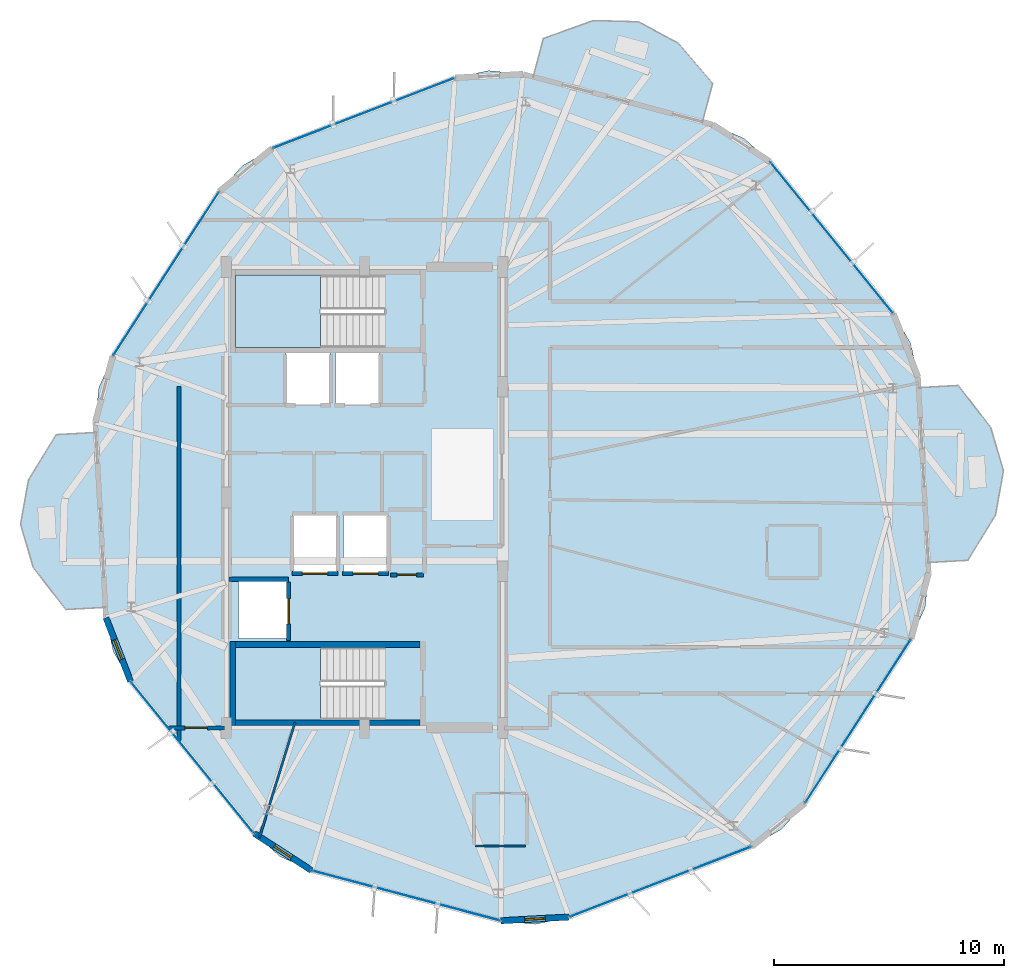
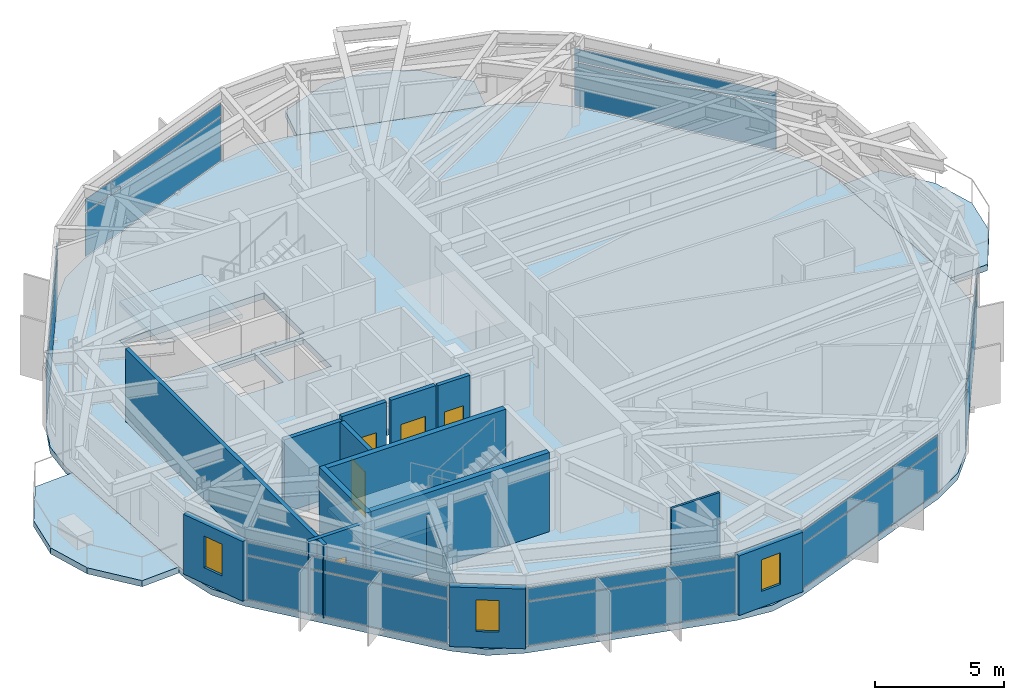
# One storey, part 20 of 26: 15 walls, 14 plates, 6 slabs, 5 doors, 3 windows, 8 openings, 9 elements without a shape of their own.
"""IFC4 building model written with IfcOpenShell, lengths in metres."""

from ifc_helpers import new_model, si_unit, direction, frame, frame_2d, origin, origin_2d, place, context, subcontext, project, spatial, polyline, rectangle, outline, extrude, material, layer, layer_set, type_object, element, fill, aggregate, save


model = new_model("IFC4")

# Units and contexts
model_context = context("Model", 3, precision=1e-05, world=origin(), true_north=direction((0.0, 1.0)))
body_context = subcontext(model_context, "Body", "Model", "MODEL_VIEW")
ifc_project = project(units=[si_unit("LENGTHUNIT", "METRE"), si_unit("AREAUNIT", "SQUARE_METRE"), si_unit("VOLUMEUNIT", "CUBIC_METRE"), si_unit("PLANEANGLEUNIT", "RADIAN"), si_unit("MASSUNIT", "GRAM", prefix="KILO")], contexts=[model_context])

# Site, building, storey
site_placement = place(None, origin())
site = spatial("IfcSite", under=ifc_project, at=site_placement, CompositionType="ELEMENT")
building_placement = place(site_placement, origin())
building = spatial("IfcBuilding", under=site, at=building_placement, Name="Soratama Intermodal Tower", CompositionType="ELEMENT")
storey_placement = place(building_placement, frame((0.0, 0.0, 242.5)))
storey = spatial("IfcBuildingStorey", under=building, at=storey_placement, Name="L61", CompositionType="ELEMENT", Elevation=242.5)

# Curtain wall, plates
ifc_material_1 = material(Name="Double-glazed aluminium curtain wall", Category="aluminium")
ifc_layer_1 = layer(ifc_material_1, 0.159912109375)
ifc_layer_set_1 = layer_set([ifc_layer_1], Name="Double-glazed aluminium curtain wall")
curtain_wall_type = type_object("IfcCurtainWallType", Name="CW-SYS-5", PredefinedType="NOTDEFINED", material=ifc_layer_set_1)
curtain_wall_1_placement = place(storey_placement, origin())
curtain_wall_1 = element("IfcCurtainWall", 1, at=curtain_wall_1_placement, inside=storey, type_object=curtain_wall_type, Name="L61 Faceted Curtain Wall F02", PredefinedType="NOTDEFINED")
ifc_material_2 = material(Name="Low-E laminated double glazing", Category="glass")
ifc_layer_2 = layer(ifc_material_2, 0.02001953125)
ifc_layer_set_2 = layer_set([ifc_layer_2], Name="Low-E laminated double glazing")
plate_type = type_object("IfcPlateType", Name="PT-CWP-5", PredefinedType="CURTAIN_PANEL", material=ifc_layer_set_2)
plate_1_placement = place(storey_placement, frame((38.5576171875, 41.678955078125, 0.06005859375), z_axis=(0.0, 0.0, 1.0), x_axis=(-0.932825817811, -0.360327619849, 0.0)))
plate_1 = element("IfcPlate", 2, at=plate_1_placement, type_object=plate_type, Name="CW-5 panel 1.1", PredefinedType="CURTAIN_PANEL", context=body_context, shape_type="SweptSolid", body=[
    extrude(rectangle(XDim=8.3798828125, YDim=0.028076171875, at=origin_2d()), origin(), (0.0, 0.0, 1.0), 2.06005859375),
])
plate_2_placement = place(storey_placement, frame((38.5576171875, 41.678955078125, 2.18017578125), z_axis=(0.0, 0.0, 1.0), x_axis=(-0.932825817811, -0.360327619849, 0.0)))
plate_2 = element("IfcPlate", 3, at=plate_2_placement, type_object=plate_type, Name="CW-5 panel 1.2", PredefinedType="CURTAIN_PANEL", context=body_context, shape_type="SweptSolid", body=[
    extrude(rectangle(XDim=8.3798828125, YDim=0.028076171875, at=origin_2d()), origin(), (0.0, 0.0, 1.0), 0.589111328125),
])
aggregate(curtain_wall_1, [plate_1, plate_2])

curtain_wall_2_placement = place(storey_placement, origin())
curtain_wall_2 = element("IfcCurtainWall", 4, at=curtain_wall_2_placement, inside=storey, type_object=curtain_wall_type, Name="L61 Faceted Curtain Wall F03", PredefinedType="NOTDEFINED")
plate_3_placement = place(storey_placement, frame((29.984375, 34.70654296875, 0.06005859375), z_axis=(0.0, 0.0, 1.0), x_axis=(-0.542878048627, -0.839811540954, 0.0)))
plate_3 = element("IfcPlate", 5, at=plate_3_placement, type_object=plate_type, Name="CW-5 panel 1.1", PredefinedType="CURTAIN_PANEL", context=body_context, shape_type="SweptSolid", body=[
    extrude(rectangle(XDim=8.3798828125, YDim=0.028076171875, at=origin_2d()), origin(), (0.0, 0.0, 1.0), 2.06005859375),
])
plate_4_placement = place(storey_placement, frame((29.984375, 34.70654296875, 2.18017578125), z_axis=(0.0, 0.0, 1.0), x_axis=(-0.542878048627, -0.839811540954, 0.0)))
plate_4 = element("IfcPlate", 6, at=plate_4_placement, type_object=plate_type, Name="CW-5 panel 1.2", PredefinedType="CURTAIN_PANEL", context=body_context, shape_type="SweptSolid", body=[
    extrude(rectangle(XDim=8.3798828125, YDim=0.028076171875, at=origin_2d()), origin(), (0.0, 0.0, 1.0), 0.589111328125),
])
aggregate(curtain_wall_2, [plate_3, plate_4])

curtain_wall_3_placement = place(storey_placement, origin())
curtain_wall_3 = element("IfcCurtainWall", 7, at=curtain_wall_3_placement, inside=storey, type_object=curtain_wall_type, Name="L61 Faceted Curtain Wall F05", PredefinedType="NOTDEFINED")
plate_5_placement = place(storey_placement, frame((31.12841796875, 13.71875, 0.06005859375), z_axis=(0.0, 0.0, 1.0), x_axis=(0.630949109477, -0.775824220588, 0.0)))
plate_5 = element("IfcPlate", 8, at=plate_5_placement, type_object=plate_type, Name="CW-5 panel 1.1", PredefinedType="CURTAIN_PANEL", context=body_context, shape_type="SweptSolid", body=[
    extrude(rectangle(XDim=8.379638671875, YDim=0.028076171875, at=origin_2d()), origin(), (0.0, 0.0, 1.0), 2.06005859375),
])
plate_6_placement = place(storey_placement, frame((31.12841796875, 13.71875, 2.18017578125), z_axis=(0.0, 0.0, 1.0), x_axis=(0.630949109477, -0.775824220588, 0.0)))
plate_6 = element("IfcPlate", 9, at=plate_6_placement, type_object=plate_type, Name="CW-5 panel 1.2", PredefinedType="CURTAIN_PANEL", context=body_context, shape_type="SweptSolid", body=[
    extrude(rectangle(XDim=8.379638671875, YDim=0.028076171875, at=origin_2d()), origin(), (0.0, 0.0, 1.0), 0.589111328125),
])
aggregate(curtain_wall_3, [plate_5, plate_6])

curtain_wall_4_placement = place(storey_placement, origin())
curtain_wall_4 = element("IfcCurtainWall", 10, at=curtain_wall_4_placement, inside=storey, type_object=curtain_wall_type, Name="L61 Faceted Curtain Wall F06", PredefinedType="NOTDEFINED")
plate_7_placement = place(storey_placement, frame((40.408447265625, 7.7197265625, 0.06005859375), z_axis=(0.0, 0.0, 1.0), x_axis=(0.966466332631, -0.256793356401, 0.0)))
plate_7 = element("IfcPlate", 11, at=plate_7_placement, type_object=plate_type, Name="CW-5 panel 1.1", PredefinedType="CURTAIN_PANEL", context=body_context, shape_type="SweptSolid", body=[
    extrude(rectangle(XDim=8.3798828125, YDim=0.028076171875, at=origin_2d()), origin(), (0.0, 0.0, 1.0), 2.06005859375),
])
plate_8_placement = place(storey_placement, frame((40.408447265625, 7.7197265625, 2.18017578125), z_axis=(0.0, 0.0, 1.0), x_axis=(0.966466332631, -0.256793356401, 0.0)))
plate_8 = element("IfcPlate", 12, at=plate_8_placement, type_object=plate_type, Name="CW-5 panel 1.2", PredefinedType="CURTAIN_PANEL", context=body_context, shape_type="SweptSolid", body=[
    extrude(rectangle(XDim=8.3798828125, YDim=0.028076171875, at=origin_2d()), origin(), (0.0, 0.0, 1.0), 0.589111328125),
])
aggregate(curtain_wall_4, [plate_7, plate_8])

curtain_wall_5_placement = place(storey_placement, origin())
curtain_wall_5 = element("IfcCurtainWall", 13, at=curtain_wall_5_placement, inside=storey, type_object=curtain_wall_type, Name="L61 Faceted Curtain Wall F07", PredefinedType="NOTDEFINED")
plate_9_placement = place(storey_placement, frame((51.4423828125, 8.321044921875, 0.06005859375), z_axis=(0.0, 0.0, 1.0), x_axis=(0.932825817811, 0.360327619849, 0.0)))
plate_9 = element("IfcPlate", 14, at=plate_9_placement, type_object=plate_type, Name="CW-5 panel 1.1", PredefinedType="CURTAIN_PANEL", context=body_context, shape_type="SweptSolid", body=[
    extrude(rectangle(XDim=8.3798828125, YDim=0.028076171875, at=origin_2d()), origin(), (0.0, 0.0, 1.0), 2.06005859375),
])
plate_10_placement = place(storey_placement, frame((51.4423828125, 8.321044921875, 2.18017578125), z_axis=(0.0, 0.0, 1.0), x_axis=(0.932825817811, 0.360327619849, 0.0)))
plate_10 = element("IfcPlate", 15, at=plate_10_placement, type_object=plate_type, Name="CW-5 panel 1.2", PredefinedType="CURTAIN_PANEL", context=body_context, shape_type="SweptSolid", body=[
    extrude(rectangle(XDim=8.3798828125, YDim=0.028076171875, at=origin_2d()), origin(), (0.0, 0.0, 1.0), 0.589111328125),
])
aggregate(curtain_wall_5, [plate_9, plate_10])

curtain_wall_6_placement = place(storey_placement, origin())
curtain_wall_6 = element("IfcCurtainWall", 16, at=curtain_wall_6_placement, inside=storey, type_object=curtain_wall_type, Name="L61 Faceted Curtain Wall F08", PredefinedType="NOTDEFINED")
plate_11_placement = place(storey_placement, frame((60.015625, 15.29345703125, 0.06005859375), z_axis=(0.0, 0.0, 1.0), x_axis=(0.542878048627, 0.839811540954, 0.0)))
plate_11 = element("IfcPlate", 17, at=plate_11_placement, type_object=plate_type, Name="CW-5 panel 1.1", PredefinedType="CURTAIN_PANEL", context=body_context, shape_type="SweptSolid", body=[
    extrude(rectangle(XDim=8.3798828125, YDim=0.028076171875, at=origin_2d()), origin(), (0.0, 0.0, 1.0), 2.06005859375),
])
plate_12_placement = place(storey_placement, frame((60.015625, 15.29345703125, 2.18017578125), z_axis=(0.0, 0.0, 1.0), x_axis=(0.542878048627, 0.839811540954, 0.0)))
plate_12 = element("IfcPlate", 18, at=plate_12_placement, type_object=plate_type, Name="CW-5 panel 1.2", PredefinedType="CURTAIN_PANEL", context=body_context, shape_type="SweptSolid", body=[
    extrude(rectangle(XDim=8.3798828125, YDim=0.028076171875, at=origin_2d()), origin(), (0.0, 0.0, 1.0), 0.589111328125),
])
aggregate(curtain_wall_6, [plate_11, plate_12])

curtain_wall_7_placement = place(storey_placement, origin())
curtain_wall_7 = element("IfcCurtainWall", 19, at=curtain_wall_7_placement, inside=storey, type_object=curtain_wall_type, Name="L61 Faceted Curtain Wall F10", PredefinedType="NOTDEFINED")
plate_13_placement = place(storey_placement, frame((58.87158203125, 36.28125, 0.06005859375), z_axis=(0.0, 0.0, 1.0), x_axis=(-0.630949109477, 0.775824220588, 0.0)))
plate_13 = element("IfcPlate", 20, at=plate_13_placement, type_object=plate_type, Name="CW-5 panel 1.1", PredefinedType="CURTAIN_PANEL", context=body_context, shape_type="SweptSolid", body=[
    extrude(rectangle(XDim=8.379638671875, YDim=0.028076171875, at=origin_2d()), origin(), (0.0, 0.0, 1.0), 2.06005859375),
])
plate_14_placement = place(storey_placement, frame((58.87158203125, 36.28125, 2.18017578125), z_axis=(0.0, 0.0, 1.0), x_axis=(-0.630949109477, 0.775824220588, 0.0)))
plate_14 = element("IfcPlate", 21, at=plate_14_placement, type_object=plate_type, Name="CW-5 panel 1.2", PredefinedType="CURTAIN_PANEL", context=body_context, shape_type="SweptSolid", body=[
    extrude(rectangle(XDim=8.379638671875, YDim=0.028076171875, at=origin_2d()), origin(), (0.0, 0.0, 1.0), 0.589111328125),
])
aggregate(curtain_wall_7, [plate_13, plate_14])

# Slabs
ifc_material_3 = material(Name="Concrete f'c 42 MPa", Category="concrete")
ifc_layer_3 = layer(ifc_material_3, 0.2900390625)
ifc_layer_set_3 = layer_set([ifc_layer_3], Name="Concrete f'c 42 MPa")
slab_type_1 = type_object("IfcSlabType", Name="SL-EXT-BAL2", PredefinedType="FLOOR", material=ifc_layer_set_3)
slab_1_placement = place(storey_placement, frame((0.0, 0.0, -0.2900390625)))
element("IfcSlab", 22, at=slab_1_placement, inside=storey, type_object=slab_type_1, Name="L61 Planted Balcony East 1", PredefinedType="FLOOR", context=body_context, shape_type="SweptSolid", body=[
    extrude(outline(polyline([(63.060302734375, 22.1787109375), (62.646484375, 29.767578125), (64.364013671875, 29.861083984375), (65.7763671875, 28.035400390625), (66.328125, 26.16259765625), (65.983154296875, 24.240966796875), (64.777587890625, 22.2724609375), (63.060302734375, 22.1787109375)])), origin(), (0.0, 0.0, 1.0), 0.2900390625),
])
slab_2_placement = place(storey_placement, frame((0.0, 0.0, -0.2900390625)))
element("IfcSlab", 23, at=slab_2_placement, inside=storey, type_object=slab_type_1, Name="L61 Planted Balcony North 2", PredefinedType="FLOOR", context=body_context, shape_type="SweptSolid", body=[
    extrude(outline(polyline([(53.263916015625, 41.304443359375), (45.9189453125, 43.256103515625), (46.360595703125, 44.91845703125), (48.53369140625, 45.697509765625), (50.485107421875, 45.6435546875), (52.2060546875, 44.7216796875), (53.705810546875, 42.966796875), (53.263916015625, 41.304443359375)])), origin(), (0.0, 0.0, 1.0), 0.2900390625),
])
slab_3_placement = place(storey_placement, frame((0.0, 0.0, -0.2900390625)))
element("IfcSlab", 24, at=slab_3_placement, inside=storey, type_object=slab_type_1, Name="L61 Planted Balcony West 3", PredefinedType="FLOOR", context=body_context, shape_type="SweptSolid", body=[
    extrude(outline(polyline([(26.939697265625, 27.8212890625), (27.353515625, 20.232421875), (25.635986328125, 20.138916015625), (24.2236328125, 21.964599609375), (23.671875, 23.83740234375), (24.016845703125, 25.759033203125), (25.222412109375, 27.7275390625), (26.939697265625, 27.8212890625)])), origin(), (0.0, 0.0, 1.0), 0.2900390625),
])

# Stair, slab
ifc_material_4 = material(Name="Concrete f'c 42 MPa", Category="concrete")
stair_type = type_object("IfcStairType", Name="ST-CORE-DOGLEG", PredefinedType="HALF_TURN_STAIR", material=ifc_material_4)
stair_1_placement = place(storey_placement, origin())
stair_1 = element("IfcStair", 25, at=stair_1_placement, inside=storey, type_object=stair_type, Name="L61 ST-1", PredefinedType="HALF_TURN_STAIR")
ifc_material_5 = material(Name="Concrete f'c 42 MPa", Category="concrete")
ifc_layer_4 = layer(ifc_material_5, 0.219970703125)
ifc_layer_set_4 = layer_set([ifc_layer_4], Name="Concrete f'c 42 MPa")
slab_type_2 = type_object("IfcSlabType", Name="SL-STAIR-LAND", PredefinedType="LANDING", material=ifc_layer_set_4)
slab_4_placement = place(storey_placement, frame((0.0, 0.0, 1.675048828125)))
slab_4 = element("IfcSlab", 26, at=slab_4_placement, type_object=slab_type_2, Name="ST-1 landing 1", PredefinedType="LANDING", context=body_context, shape_type="SweptSolid", body=[
    extrude(outline(polyline([(36.699951171875, 18.5), (33.0, 18.5), (33.0, 15.35009765625), (36.699951171875, 15.35009765625), (36.699951171875, 18.5)])), origin(), (0.0, 0.0, 1.0), 0.199951171875),
])
aggregate(stair_1, [slab_4])

stair_2_placement = place(storey_placement, origin())
stair_2 = element("IfcStair", 27, at=stair_2_placement, inside=storey, type_object=stair_type, Name="L61 ST-2", PredefinedType="HALF_TURN_STAIR")
slab_5_placement = place(storey_placement, frame((0.0, 0.0, 1.675048828125)))
slab_5 = element("IfcSlab", 28, at=slab_5_placement, type_object=slab_type_2, Name="ST-2 landing 1", PredefinedType="LANDING", context=body_context, shape_type="SweptSolid", body=[
    extrude(outline(polyline([(36.699951171875, 34.64990234375), (33.0, 34.64990234375), (33.0, 31.5), (36.699951171875, 31.5), (36.699951171875, 34.64990234375)])), origin(), (0.0, 0.0, 1.0), 0.199951171875),
])
aggregate(stair_2, [slab_5])

# Slab
ifc_material_6 = material(Name="Concrete f'c 42 MPa", Category="concrete")
ifc_layer_5 = layer(ifc_material_6, 0.280029296875)
ifc_layer_set_5 = layer_set([ifc_layer_5], Name="Concrete f'c 42 MPa")
slab_type_3 = type_object("IfcSlabType", Name="SL-TWR-280", PredefinedType="FLOOR", material=ifc_layer_set_5)
slab_6_placement = place(storey_placement, frame((0.0, 0.0, -0.300048828125)))
element("IfcSlab", 29, at=slab_6_placement, inside=storey, type_object=slab_type_3, Name="L61 Structural Floor Slab", PredefinedType="FLOOR", context=body_context, shape_type="SweptSolid", body=[
    extrude(outline(polyline([(56.190185546875, 39.578369140625), (55.072021484375, 40.5810546875), (53.698974609375, 41.18896484375), (45.484130859375, 43.37158203125), (43.990234375, 43.525390625), (42.52197265625, 43.210205078125), (34.593017578125, 40.1474609375), (33.294189453125, 39.393798828125), (32.29150390625, 38.27587890625), (27.677001953125, 31.137451171875), (27.069091796875, 29.764404296875), (26.915283203125, 28.2705078125), (27.3779296875, 19.783203125), (27.693359375, 18.31494140625), (28.447021484375, 17.015869140625), (33.809814453125, 10.421630859375), (34.927978515625, 9.4189453125), (36.301025390625, 8.81103515625), (44.515869140625, 6.62841796875), (46.009765625, 6.474609375), (47.47802734375, 6.789794921875), (55.406982421875, 9.8525390625), (56.705810546875, 10.606201171875), (57.70849609375, 11.72412109375), (62.322998046875, 18.862548828125), (62.930908203125, 20.235595703125), (63.084716796875, 21.7294921875), (62.6220703125, 30.216796875), (62.306640625, 31.68505859375), (61.552978515625, 32.984130859375), (56.190185546875, 39.578369140625)]), holes=[polyline([(33.0, 15.35009765625), (39.47509765625, 15.35009765625), (39.47509765625, 18.5), (33.0, 18.5), (33.0, 15.35009765625)]), polyline([(35.260009765625, 21.409912109375), (33.139892578125, 21.409912109375), (33.139892578125, 18.889892578125), (35.260009765625, 18.889892578125), (35.260009765625, 21.409912109375)]), polyline([(37.409912109375, 24.260009765625), (35.489990234375, 24.260009765625), (35.489990234375, 21.739990234375), (37.409912109375, 21.739990234375), (37.409912109375, 24.260009765625)]), polyline([(39.610107421875, 24.260009765625), (37.68994140625, 24.260009765625), (37.68994140625, 21.739990234375), (39.610107421875, 21.739990234375), (39.610107421875, 24.260009765625)]), polyline([(37.110107421875, 31.260009765625), (35.18994140625, 31.260009765625), (35.18994140625, 29.0400390625), (37.110107421875, 29.0400390625), (37.110107421875, 31.260009765625)]), polyline([(39.260009765625, 31.260009765625), (37.340087890625, 31.260009765625), (37.340087890625, 29.0400390625), (39.260009765625, 29.0400390625), (39.260009765625, 31.260009765625)]), polyline([(33.0, 34.64990234375), (33.0, 31.5), (39.47509765625, 31.5), (39.47509765625, 34.64990234375), (33.0, 34.64990234375)])]), origin(), (0.0, 0.0, 1.0), 0.300048828125),
])

# Wall, opening, window
ifc_material_7 = material(Name="Concrete f'c 42 MPa", Category="concrete")
ifc_layer_6 = layer(ifc_material_7, 0.27001953125)
ifc_layer_set_6 = layer_set([ifc_layer_6], Name="Concrete f'c 42 MPa")
wall_type_1 = type_object("IfcWallType", Name="EW-CRN-270", PredefinedType="SOLIDWALL", material=ifc_layer_set_6)
wall_1_placement = place(storey_placement, frame((27.3779296875, 19.783203125, 0.0), z_axis=(0.0, 0.0, 1.0), x_axis=(0.3603683584, -0.93281008049, 0.0)))
wall_1 = element("IfcWall", 30, at=wall_1_placement, inside=storey, type_object=wall_type_1, Name="L61 Corner Closure Wall 04", PredefinedType="SOLIDWALL", context=body_context, shape_type="SweptSolid", body=[
    extrude(rectangle(XDim=2.966552734375, YDim=0.27001953125, at=frame_2d((1.4833984375, 0.0))), origin(), (0.0, 0.0, 1.0), 2.8291015625),
])
opening_1_placement = place(wall_1_placement, frame((1.033203125, 0.0, 0.75)))
opening_1 = element("IfcOpeningElement", 31, at=opening_1_placement, cuts=wall_1, Name="Opening WN-6", PredefinedType="OPENING", context=body_context, shape_type="SweptSolid", body=[
    extrude(rectangle(XDim=0.89990234375, YDim=1.5, at=frame_2d((0.449951171875, 0.75))), frame((0.0, 0.14501953125, 0.0), z_axis=(0.0, -1.0, 0.0), x_axis=(1.0, 0.0, 0.0)), (0.0, 0.0, 1.0), 0.2900390625),
])
ifc_material_8 = material(Name="Double-glazed aluminium window", Category="aluminium")
window_type = type_object("IfcWindowType", Name="WN-FAC-900", PartitioningType="SINGLE_PANEL", PredefinedType="WINDOW", material=ifc_material_8)
window_1_placement = place(opening_1_placement, origin())
window_1 = element("IfcWindow", 32, at=window_1_placement, inside=storey, type_object=window_type, Name="L61 Corner Window 04", OverallHeight=1.5, OverallWidth=0.89990234375, PartitioningType="SINGLE_PANEL", PredefinedType="WINDOW", context=body_context, shape_type="SweptSolid", body=[
    extrude(rectangle(XDim=0.89990234375, YDim=1.5, at=frame_2d((0.449951171875, 0.75))), frame((0.0, 0.030029296875, 0.0), z_axis=(0.0, -1.0, 0.0), x_axis=(1.0, 0.0, 0.0)), (0.0, 0.0, 1.0), 0.06005859375),
])
fill(opening_1, window_1)

wall_2_placement = place(storey_placement, frame((33.809814453125, 10.421630859375, 0.0), z_axis=(0.0, 0.0, 1.0), x_axis=(0.839779856866, -0.54292705956, 0.0)))
wall_2 = element("IfcWall", 33, at=wall_2_placement, inside=storey, type_object=wall_type_1, Name="L61 Corner Closure Wall 05", PredefinedType="SOLIDWALL", context=body_context, shape_type="SweptSolid", body=[
    extrude(rectangle(XDim=2.966552734375, YDim=0.27001953125, at=frame_2d((1.4833984375, 0.0))), origin(), (0.0, 0.0, 1.0), 2.8291015625),
])
opening_2_placement = place(wall_2_placement, frame((1.033203125, 0.0, 0.75)))
opening_2 = element("IfcOpeningElement", 34, at=opening_2_placement, cuts=wall_2, Name="Opening WN-6", PredefinedType="OPENING", context=body_context, shape_type="SweptSolid", body=[
    extrude(rectangle(XDim=0.89990234375, YDim=1.5, at=frame_2d((0.449951171875, 0.75))), frame((0.0, 0.14501953125, 0.0), z_axis=(0.0, -1.0, 0.0), x_axis=(1.0, 0.0, 0.0)), (0.0, 0.0, 1.0), 0.2900390625),
])
window_2_placement = place(opening_2_placement, origin())
window_2 = element("IfcWindow", 35, at=window_2_placement, inside=storey, type_object=window_type, Name="L61 Corner Window 05", OverallHeight=1.5, OverallWidth=0.89990234375, PartitioningType="SINGLE_PANEL", PredefinedType="WINDOW", context=body_context, shape_type="SweptSolid", body=[
    extrude(rectangle(XDim=0.89990234375, YDim=1.5, at=frame_2d((0.449951171875, 0.75))), frame((0.0, 0.030029296875, 0.0), z_axis=(0.0, -1.0, 0.0), x_axis=(1.0, 0.0, 0.0)), (0.0, 0.0, 1.0), 0.06005859375),
])
fill(opening_2, window_2)

wall_3_placement = place(storey_placement, frame((44.515869140625, 6.62841796875, 0.0), z_axis=(0.0, 0.0, 1.0), x_axis=(0.998519286297, 0.054398850098, 0.0)))
wall_3 = element("IfcWall", 36, at=wall_3_placement, inside=storey, type_object=wall_type_1, Name="L61 Corner Closure Wall 06", PredefinedType="SOLIDWALL", context=body_context, shape_type="SweptSolid", body=[
    extrude(rectangle(XDim=2.966552734375, YDim=0.27001953125, at=frame_2d((1.4833984375, 0.0))), origin(), (0.0, 0.0, 1.0), 2.8291015625),
])
opening_3_placement = place(wall_3_placement, frame((1.033203125, 0.0, 0.75)))
opening_3 = element("IfcOpeningElement", 37, at=opening_3_placement, cuts=wall_3, Name="Opening WN-6", PredefinedType="OPENING", context=body_context, shape_type="SweptSolid", body=[
    extrude(rectangle(XDim=0.89990234375, YDim=1.5, at=frame_2d((0.449951171875, 0.75))), frame((0.0, 0.14501953125, 0.0), z_axis=(0.0, -1.0, 0.0), x_axis=(1.0, 0.0, 0.0)), (0.0, 0.0, 1.0), 0.2900390625),
])
window_3_placement = place(opening_3_placement, origin())
window_3 = element("IfcWindow", 38, at=window_3_placement, inside=storey, type_object=window_type, Name="L61 Corner Window 06", OverallHeight=1.5, OverallWidth=0.89990234375, PartitioningType="SINGLE_PANEL", PredefinedType="WINDOW", context=body_context, shape_type="SweptSolid", body=[
    extrude(rectangle(XDim=0.89990234375, YDim=1.5, at=frame_2d((0.449951171875, 0.75))), frame((0.0, 0.030029296875, 0.0), z_axis=(0.0, -1.0, 0.0), x_axis=(1.0, 0.0, 0.0)), (0.0, 0.0, 1.0), 0.06005859375),
])
fill(opening_3, window_3)

# Wall, opening, door
ifc_material_9 = material(Name="Fire-rated gypsum stud partition", Category="concrete")
ifc_layer_7 = layer(ifc_material_9, 0.169921875)
ifc_layer_set_7 = layer_set([ifc_layer_7], Name="Fire-rated gypsum stud partition")
wall_type_2 = type_object("IfcWallType", Name="IW-PART-R170", PredefinedType="PARTITIONING", material=ifc_layer_set_7)
wall_4_placement = place(storey_placement, frame((32.530029296875, 15.0, 0.0), z_axis=(0.0, 0.0, 1.0), x_axis=(-1.0, 0.0, 0.0)))
wall_4 = element("IfcWall", 39, at=wall_4_placement, inside=storey, type_object=wall_type_2, Name="L61 Partition W-L61-TP025", PredefinedType="PARTITIONING", context=body_context, shape_type="SweptSolid", body=[
    extrude(rectangle(XDim=2.444091796875, YDim=0.169921875, at=frame_2d((1.22216796875, 0.0))), origin(), (0.0, 0.0, 1.0), 3.449951171875),
])
opening_4_placement = place(wall_4_placement, frame((0.7470703125, 0.0, 0.0)))
opening_4 = element("IfcOpeningElement", 40, at=opening_4_placement, cuts=wall_4, Name="Opening ID-5", PredefinedType="OPENING", context=body_context, shape_type="SweptSolid", body=[
    extrude(rectangle(XDim=0.97998046875, YDim=2.14990234375, at=frame_2d((0.489990234375, 1.074951171875))), frame((0.0, 0.094970703125, 0.0), z_axis=(0.0, -1.0, 0.0), x_axis=(1.0, 0.0, 0.0)), (0.0, 0.0, 1.0), 0.18994140625),
])
ifc_material_10 = material(Name="Solid hardwood acoustic door", Category="wood")
door_type_1 = type_object("IfcDoorType", Name="DR-OFF-980", OperationType="NOTDEFINED", PredefinedType="DOOR", material=ifc_material_10)
door_1_placement = place(opening_4_placement, origin())
door_1 = element("IfcDoor", 41, at=door_1_placement, inside=storey, type_object=door_type_1, Name="L61 Door D-L61-TP011", OperationType="SINGLE_SWING_RIGHT", OverallHeight=2.14990234375, OverallWidth=0.97998046875, PredefinedType="DOOR", context=body_context, shape_type="SweptSolid", body=[
    extrude(rectangle(XDim=0.97998046875, YDim=2.14990234375, at=frame_2d((0.489990234375, 1.074951171875))), frame((0.0, 0.02490234375, 0.0), z_axis=(0.0, -1.0, 0.0), x_axis=(1.0, 0.0, 0.0)), (0.0, 0.0, 1.0), 0.050048828125),
])
fill(opening_4, door_1)

wall_5_placement = place(storey_placement, frame((39.719970703125, 21.639892578125, 0.0), z_axis=(0.0, 0.0, 1.0), x_axis=(1.0, 0.0, 0.0)))
wall_5 = element("IfcWall", 42, at=wall_5_placement, inside=storey, type_object=wall_type_2, Name="L61 Partition W-L61-TP042", PredefinedType="PARTITIONING", context=body_context, shape_type="SweptSolid", body=[
    extrude(rectangle(XDim=1.43994140625, YDim=0.169921875, at=frame_2d((0.719970703125, 0.0))), origin(), (0.0, 0.0, 1.0), 3.449951171875),
])
opening_5_placement = place(wall_5_placement, frame((0.294921875, 0.0, 0.0)))
opening_5 = element("IfcOpeningElement", 43, at=opening_5_placement, cuts=wall_5, Name="Opening ID-4", PredefinedType="OPENING", context=body_context, shape_type="SweptSolid", body=[
    extrude(rectangle(XDim=0.85009765625, YDim=2.10009765625, at=frame_2d((0.425048828125, 1.050048828125))), frame((0.0, 0.094970703125, 0.0), z_axis=(0.0, -1.0, 0.0), x_axis=(1.0, 0.0, 0.0)), (0.0, 0.0, 1.0), 0.18994140625),
])
ifc_material_11 = material(Name="Solid hardwood acoustic door", Category="wood")
door_type_2 = type_object("IfcDoorType", Name="DR-BATH-850", OperationType="NOTDEFINED", PredefinedType="DOOR", material=ifc_material_11)
door_2_placement = place(opening_5_placement, origin())
door_2 = element("IfcDoor", 44, at=door_2_placement, inside=storey, type_object=door_type_2, Name="L61 Door D-L61-TP017", OperationType="SINGLE_SWING_RIGHT", OverallHeight=2.10009765625, OverallWidth=0.85009765625, PredefinedType="DOOR", context=body_context, shape_type="SweptSolid", body=[
    extrude(rectangle(XDim=0.85009765625, YDim=2.10009765625, at=frame_2d((0.425048828125, 1.050048828125))), frame((0.0, 0.02490234375, 0.0), z_axis=(0.0, -1.0, 0.0), x_axis=(1.0, 0.0, 0.0)), (0.0, 0.0, 1.0), 0.050048828125),
])
fill(opening_5, door_2)

# Walls
wall_6_placement = place(storey_placement, frame((30.550048828125, 14.429931640625, 0.0), z_axis=(0.0, 0.0, 1.0), x_axis=(0.0, 1.0, 0.0)))
element("IfcWall", 45, at=wall_6_placement, inside=storey, type_object=wall_type_2, Name="L61 Partition W-L61-TP048", PredefinedType="PARTITIONING", context=body_context, shape_type="SweptSolid", body=[
    extrude(rectangle(XDim=15.381103515625, YDim=0.169921875, at=frame_2d((7.6904296875, 0.0))), origin(), (0.0, 0.0, 1.0), 3.449951171875),
])
ifc_material_12 = material(Name="Fire-rated gypsum stud partition", Category="concrete")
ifc_layer_8 = layer(ifc_material_12, 0.10009765625)
ifc_layer_set_8 = layer_set([ifc_layer_8], Name="Fire-rated gypsum stud partition")
wall_type_3 = type_object("IfcWallType", Name="IW-PART-S100", PredefinedType="PARTITIONING", material=ifc_layer_set_8)
wall_7_placement = place(storey_placement, frame((35.580078125, 15.22998046875, 0.0), z_axis=(0.0, 0.0, 1.0), x_axis=(-0.295332551785, -0.955394517389, 0.0)))
element("IfcWall", 46, at=wall_7_placement, inside=storey, type_object=wall_type_3, Name="L61 Partition W-L61-TP014", PredefinedType="PARTITIONING", context=body_context, shape_type="SweptSolid", body=[
    extrude(rectangle(XDim=5.241943359375, YDim=0.10009765625, at=frame_2d((2.62109375, 0.0))), origin(), (0.0, 0.0, 1.0), 2.7451171875),
])
wall_8_placement = place(storey_placement, frame((43.425048828125, 9.873046875, 0.0), z_axis=(0.0, 0.0, 1.0), x_axis=(1.0, 0.0, 0.0)))
element("IfcWall", 47, at=wall_8_placement, inside=storey, type_object=wall_type_3, Name="L61 Partition W-L61-TP029", PredefinedType="PARTITIONING", context=body_context, shape_type="SweptSolid", body=[
    extrude(rectangle(XDim=2.159912109375, YDim=0.10009765625, at=frame_2d((1.080078125, 0.0))), origin(), (0.0, 0.0, 1.0), 3.449951171875),
])

# Wall, opening, door
ifc_material_13 = material(Name="Concrete f'c 42 MPa", Category="concrete")
ifc_layer_9 = layer(ifc_material_13, 0.18505859375)
ifc_layer_set_9 = layer_set([ifc_layer_9], Name="Concrete f'c 42 MPa")
wall_type_4 = type_object("IfcWallType", Name="IW-SHAFT-185", PredefinedType="SOLIDWALL", material=ifc_layer_set_9)
wall_9_placement = place(storey_placement, frame((35.449951171875, 21.699951171875, 0.0), z_axis=(0.0, 0.0, 1.0), x_axis=(1.0, 0.0, 0.0)))
wall_9 = element("IfcWall", 48, at=wall_9_placement, inside=storey, type_object=wall_type_4, Name="L61 FFL-1 Hoistway Wall S", PredefinedType="SOLIDWALL", context=body_context, shape_type="SweptSolid", body=[
    extrude(rectangle(XDim=2.0, YDim=0.18505859375, at=frame_2d((1.0, 0.0))), origin(), (0.0, 0.0, 1.0), 3.449951171875),
])
opening_6_placement = place(wall_9_placement, frame((0.449951171875, 0.0, 0.0)))
opening_6 = element("IfcOpeningElement", 49, at=opening_6_placement, cuts=wall_9, Name="Opening LD-1", PredefinedType="OPENING", context=body_context, shape_type="SweptSolid", body=[
    extrude(rectangle(XDim=1.10009765625, YDim=2.14990234375, at=frame_2d((0.550048828125, 1.074951171875))), frame((0.0, 0.1025390625, 0.0), z_axis=(0.0, -1.0, 0.0), x_axis=(1.0, 0.0, 0.0)), (0.0, 0.0, 1.0), 0.205078125),
])
ifc_material_14 = material(Name="Steel fire door", Category="steel")
door_type_3 = type_object("IfcDoorType", Name="DR-LIFT-SLIDE", OperationType="NOTDEFINED", PredefinedType="DOOR", material=ifc_material_14)
door_3_placement = place(opening_6_placement, origin())
door_3 = element("IfcDoor", 50, at=door_3_placement, inside=storey, type_object=door_type_3, Name="L61 FFL-1 Sliding Landing Door", OperationType="SLIDING_TO_LEFT", OverallHeight=2.14990234375, OverallWidth=1.10009765625, PredefinedType="DOOR", context=body_context, shape_type="SweptSolid", body=[
    extrude(rectangle(XDim=1.10009765625, YDim=2.14990234375, at=frame_2d((0.550048828125, 1.074951171875))), frame((0.0, 0.02490234375, 0.0), z_axis=(0.0, -1.0, 0.0), x_axis=(1.0, 0.0, 0.0)), (0.0, 0.0, 1.0), 0.050048828125),
])
fill(opening_6, door_3)

wall_10_placement = place(storey_placement, frame((37.64990234375, 21.699951171875, 0.0), z_axis=(0.0, 0.0, 1.0), x_axis=(1.0, 0.0, 0.0)))
wall_10 = element("IfcWall", 51, at=wall_10_placement, inside=storey, type_object=wall_type_4, Name="L61 FFL-2 Hoistway Wall S", PredefinedType="SOLIDWALL", context=body_context, shape_type="SweptSolid", body=[
    extrude(rectangle(XDim=2.0, YDim=0.18505859375, at=frame_2d((1.0, 0.0))), origin(), (0.0, 0.0, 1.0), 3.449951171875),
])
opening_7_placement = place(wall_10_placement, frame((0.449951171875, 0.0, 0.0)))
opening_7 = element("IfcOpeningElement", 52, at=opening_7_placement, cuts=wall_10, Name="Opening LD-1", PredefinedType="OPENING", context=body_context, shape_type="SweptSolid", body=[
    extrude(rectangle(XDim=1.10009765625, YDim=2.14990234375, at=frame_2d((0.550048828125, 1.074951171875))), frame((0.0, 0.1025390625, 0.0), z_axis=(0.0, -1.0, 0.0), x_axis=(1.0, 0.0, 0.0)), (0.0, 0.0, 1.0), 0.205078125),
])
door_4_placement = place(opening_7_placement, origin())
door_4 = element("IfcDoor", 53, at=door_4_placement, inside=storey, type_object=door_type_3, Name="L61 FFL-2 Sliding Landing Door", OperationType="SLIDING_TO_LEFT", OverallHeight=2.14990234375, OverallWidth=1.10009765625, PredefinedType="DOOR", context=body_context, shape_type="SweptSolid", body=[
    extrude(rectangle(XDim=1.10009765625, YDim=2.14990234375, at=frame_2d((0.550048828125, 1.074951171875))), frame((0.0, 0.02490234375, 0.0), z_axis=(0.0, -1.0, 0.0), x_axis=(1.0, 0.0, 0.0)), (0.0, 0.0, 1.0), 0.050048828125),
])
fill(opening_7, door_4)

# Wall
wall_11_placement = place(storey_placement, frame((32.719970703125, 21.449951171875, 0.0), z_axis=(0.0, 0.0, 1.0), x_axis=(1.0, 0.0, 0.0)))
element("IfcWall", 54, at=wall_11_placement, inside=storey, type_object=wall_type_4, Name="L61 SVL-1 Hoistway Wall N", PredefinedType="SOLIDWALL", context=body_context, shape_type="SweptSolid", body=[
    extrude(rectangle(XDim=2.580078125, YDim=0.18505859375, at=frame_2d((1.2900390625, 0.0))), origin(), (0.0, 0.0, 1.0), 3.449951171875),
])

# Wall, opening, door
wall_12_placement = place(storey_placement, frame((35.300048828125, 18.7900390625, 0.0), z_axis=(0.0, 0.0, 1.0), x_axis=(0.0, 1.0, 0.0)))
wall_12 = element("IfcWall", 55, at=wall_12_placement, inside=storey, type_object=wall_type_4, Name="L61 SVL-1 Hoistway Wall E", PredefinedType="SOLIDWALL", context=body_context, shape_type="SweptSolid", body=[
    extrude(rectangle(XDim=2.550048828125, YDim=0.18505859375, at=frame_2d((1.27490234375, 0.0))), origin(), (0.0, 0.0, 1.0), 3.449951171875),
])
opening_8_placement = place(wall_12_placement, frame((0.72509765625, 0.0, 0.0)))
opening_8 = element("IfcOpeningElement", 56, at=opening_8_placement, cuts=wall_12, Name="Opening LD-1", PredefinedType="OPENING", context=body_context, shape_type="SweptSolid", body=[
    extrude(rectangle(XDim=1.10009765625, YDim=2.14990234375, at=frame_2d((0.550048828125, 1.074951171875))), frame((0.0, 0.1025390625, 0.0), z_axis=(0.0, -1.0, 0.0), x_axis=(1.0, 0.0, 0.0)), (0.0, 0.0, 1.0), 0.205078125),
])
door_5_placement = place(opening_8_placement, origin())
door_5 = element("IfcDoor", 57, at=door_5_placement, inside=storey, type_object=door_type_3, Name="L61 SVL-1 Sliding Landing Door", OperationType="SLIDING_TO_LEFT", OverallHeight=2.14990234375, OverallWidth=1.10009765625, PredefinedType="DOOR", context=body_context, shape_type="SweptSolid", body=[
    extrude(rectangle(XDim=1.10009765625, YDim=2.14990234375, at=frame_2d((0.550048828125, 1.074951171875))), frame((0.0, 0.02490234375, 0.0), z_axis=(0.0, -1.0, 0.0), x_axis=(1.0, 0.0, 0.0)), (0.0, 0.0, 1.0), 0.050048828125),
])
fill(opening_8, door_5)

# Walls
ifc_material_15 = material(Name="Concrete f'c 56 MPa", Category="concrete")
ifc_layer_10 = layer(ifc_material_15, 0.239990234375)
ifc_layer_set_10 = layer_set([ifc_layer_10], Name="Concrete f'c 56 MPa")
wall_type_5 = type_object("IfcWallType", Name="SW-STAIR-240", PredefinedType="SHEAR", material=ifc_layer_set_10)
wall_13_placement = place(storey_placement, frame((32.8798828125, 15.110107421875, 0.0), z_axis=(0.0, 0.0, 1.0), x_axis=(0.0, 1.0, 0.0)))
element("IfcWall", 58, at=wall_13_placement, inside=storey, type_object=wall_type_5, Name="L61 ST-1 Shaft Shear Wall W", PredefinedType="SHEAR", context=body_context, shape_type="SweptSolid", body=[
    extrude(rectangle(XDim=3.6298828125, YDim=0.239990234375, at=frame_2d((1.81494140625, 0.0))), origin(), (0.0, 0.0, 1.0), 3.75),
])
for number, where, z_axis, x_axis, name in (
    (59, (33.0, 15.22998046875, 0.0), (0.0, 0.0, 1.0), (1.0, 0.0, 0.0), "L61 ST-1 Shaft Shear Wall S"),
    (60, (33.0, 18.6201171875, 0.0), (0.0, 0.0, 1.0), (1.0, 0.0, 0.0), "L61 ST-1 Shaft Shear Wall N"),
):
    element("IfcWall", number, at=place(storey_placement, frame(where, z_axis=z_axis, x_axis=x_axis)), inside=storey, type_object=wall_type_5, Name=name, PredefinedType="SHEAR", context=body_context, shape_type="SweptSolid", body=[
        extrude(rectangle(XDim=8.0, YDim=0.239990234375, at=frame_2d((4.0, 0.0))), origin(), (0.0, 0.0, 1.0), 3.75),
    ])

save(model, "model.ifc")
